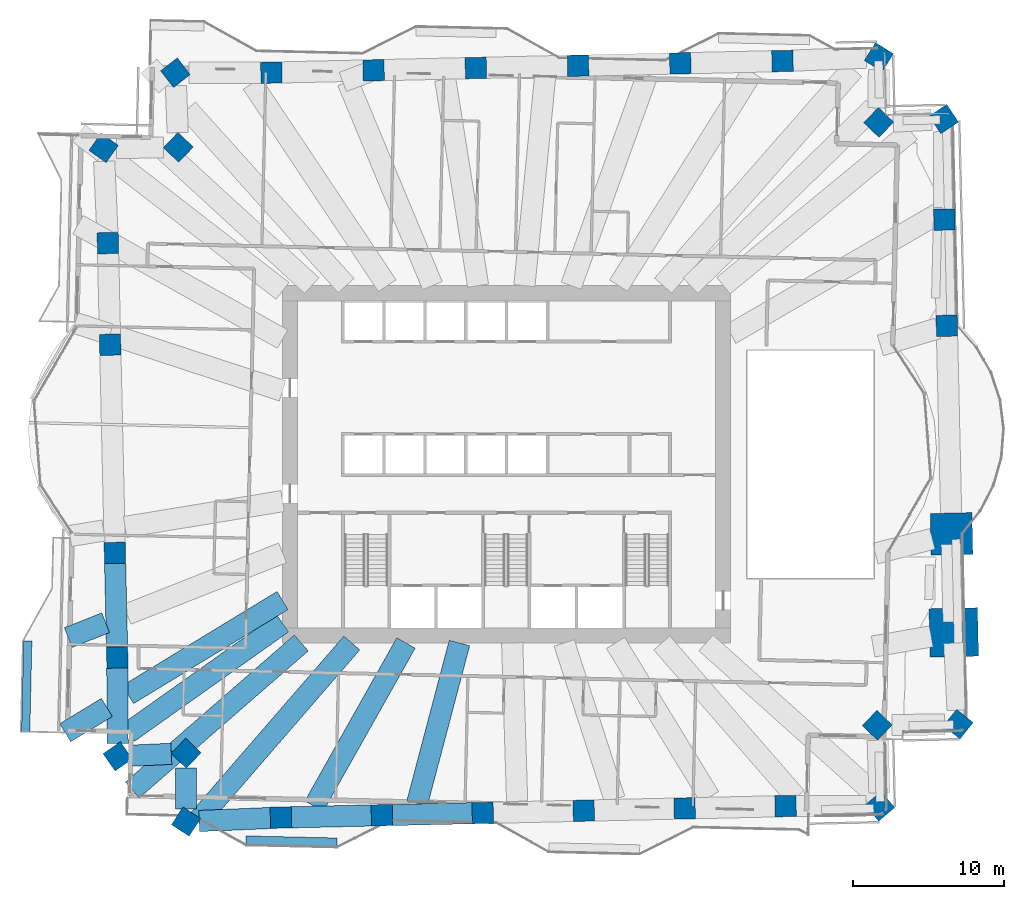
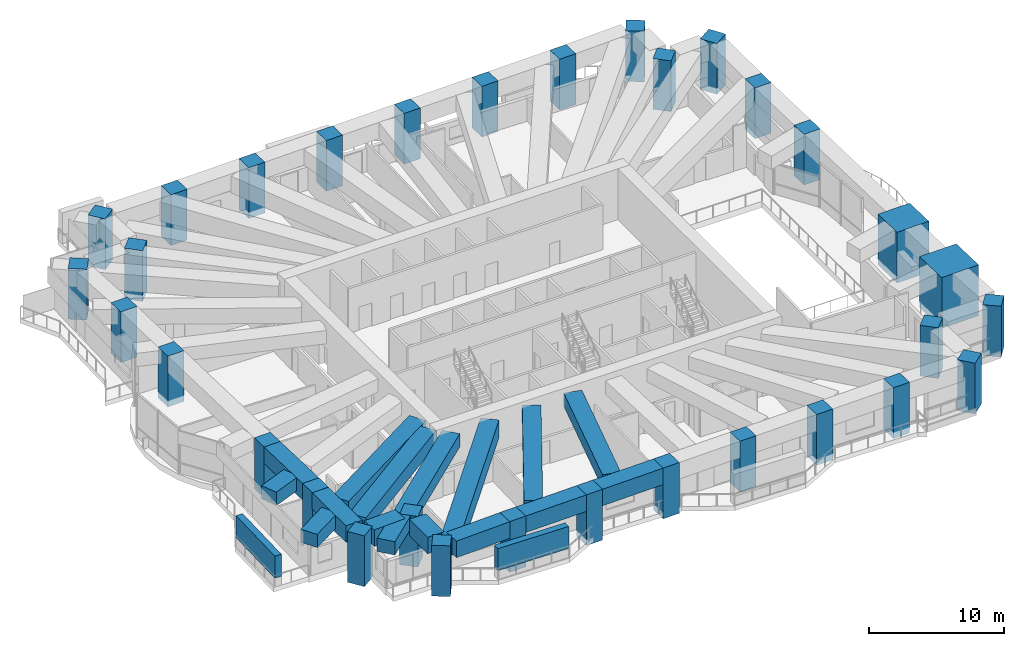
# One storey, part 1 of 20: 32 columns, 16 beams, 2 members.
"""IFC4 building model written with IfcOpenShell, lengths in metres."""

import ifcopenshell
import ifcopenshell.guid

model = None  # the IFC model being written
_history = None  # IfcOwnerHistory: only IFC2X3 demands one
_inside = {}  # id of a spatial element -> (the spatial element, [elements in it])
_under = {}  # id of a project, library or spatial element -> (it, [spatial elements below it])
_declared = {}  # id of a project -> (the project, [libraries it declares])
_typed = {}  # id of a type object -> (the type object, [elements of that type])
_made_of = {}  # id of a material, layer set ... -> (it, [elements and type objects made of it])


def new_model(schema):
    """Start an empty IFC model of exactly this schema.

    Asked for "IFC4X3", IfcOpenShell would pick the latest addendum, in which some entities
    have other attributes; the version numbers below select the first issue.
    IFC2X3 requires an IfcOwnerHistory on every rooted entity: one is made here for all.
    """
    global model, _history
    if schema == "IFC4X3":
        model = ifcopenshell.file(schema_version=(4, 3, 0, 0))
    else:
        model = ifcopenshell.file(schema=schema)
    _inside.clear()
    _under.clear()
    _declared.clear()
    _typed.clear()
    _made_of.clear()
    _history = None
    if model.schema == "IFC2X3":
        org = make("IfcOrganization", Name="unknown")
        user = make(
            "IfcPersonAndOrganization",
            ThePerson=make("IfcPerson", FamilyName="unknown"),
            TheOrganization=org,
        )
        app = make(
            "IfcApplication",
            ApplicationDeveloper=org,
            Version="unknown",
            ApplicationFullName="unknown",
            ApplicationIdentifier="unknown",
        )
        _history = make(
            "IfcOwnerHistory",
            OwningUser=user,
            OwningApplication=app,
            ChangeAction="ADDED",
            CreationDate=0,
        )
    return model


def make(cls, **values):
    """One entity of the class cls with the attributes given. An attribute that is None is left unset."""
    return model.create_entity(
        cls, **{name: value for name, value in values.items() if value is not None}
    )


def rooted(cls, **values):
    """An entity with a GlobalId (a new one), such as an element, a storey or a relation."""
    return make(cls, GlobalId=ifcopenshell.guid.new(), OwnerHistory=_history, **values)


def si_unit(unit_type, name, prefix=None):
    """IfcSIUnit, for example si_unit("LENGTHUNIT", "METRE", prefix="MILLI")."""
    return make("IfcSIUnit", UnitType=unit_type, Prefix=prefix, Name=name)


def assignment(units):
    """IfcUnitAssignment: the units of a project."""
    return None if units is None else make("IfcUnitAssignment", Units=units)


def point(xyz):
    """IfcCartesianPoint."""
    return None if xyz is None else make("IfcCartesianPoint", Coordinates=xyz)


def direction(xyz):
    """IfcDirection."""
    return None if xyz is None else make("IfcDirection", DirectionRatios=xyz)


def frame(location, z_axis=None, x_axis=None):
    """IfcAxis2Placement3D, a coordinate frame: its origin and axes. An axis left out is left unset."""
    return make(
        "IfcAxis2Placement3D",
        Location=point(location),
        Axis=direction(z_axis),
        RefDirection=direction(x_axis),
    )


def frame_2d(location, x_axis=None):
    """IfcAxis2Placement2D, a coordinate frame in the plane: its origin and x axis."""
    return make(
        "IfcAxis2Placement2D", Location=point(location), RefDirection=direction(x_axis)
    )


def origin():
    """The frame at (0, 0, 0) with its axes left unset."""
    return frame((0.0, 0.0, 0.0))


def origin_2d():
    """The frame at (0, 0) in the plane with its x axis left unset."""
    return frame_2d((0.0, 0.0))


def place(relative_to, where):
    """IfcLocalPlacement: puts the frame where relative to a parent placement (None: the world)."""
    return make(
        "IfcLocalPlacement", PlacementRelTo=relative_to, RelativePlacement=where
    )


def context(
    kind, dimensions, precision=None, world=None, true_north=None, identifier=None
):
    """IfcGeometricRepresentationContext, for example the 3D "Model" context."""
    return make(
        "IfcGeometricRepresentationContext",
        ContextIdentifier=identifier,
        ContextType=kind,
        CoordinateSpaceDimension=dimensions,
        Precision=precision,
        WorldCoordinateSystem=world,
        TrueNorth=true_north,
    )


def subcontext(parent, identifier, kind, view, scale=None):
    """IfcGeometricRepresentationSubContext, for example "Body" below "Model"."""
    return make(
        "IfcGeometricRepresentationSubContext",
        ContextIdentifier=identifier,
        ContextType=kind,
        ParentContext=parent,
        TargetScale=scale,
        TargetView=view,
    )


def project(units=None, contexts=None):
    """IfcProject with its units and contexts."""
    return rooted(
        "IfcProject",
        Name="project",
        RepresentationContexts=contexts,
        UnitsInContext=assignment(units),
    )


def spatial(cls, under=None, at=None, **own):
    """A site, building, storey or space (cls), placed at a placement, below another one or the project."""
    s = rooted(cls, ObjectPlacement=at, **own)
    if under is not None:
        _under.setdefault(under.id(), (under, []))[1].append(s)
    return s


def profile(cls, at=None, kind="AREA", **sizes):
    """A parametric profile (cls). Its sizes go by their IFC names, for example OverallWidth=200.0."""
    return make(cls, ProfileType=kind, Position=at, **sizes)


def rectangle(**sizes):
    """IfcRectangleProfileDef."""
    return profile("IfcRectangleProfileDef", **sizes)


def extrude(swept, where, along, depth):
    """IfcExtrudedAreaSolid: the profile swept, set in the frame where, extruded along a direction by depth."""
    return make(
        "IfcExtrudedAreaSolid",
        SweptArea=swept,
        Position=where,
        ExtrudedDirection=direction(along),
        Depth=depth,
    )


def shape(context_of_items, identifier, shape_type, items):
    """IfcShapeRepresentation: the items that make up one representation, for example the "Body"."""
    return make(
        "IfcShapeRepresentation",
        ContextOfItems=context_of_items,
        RepresentationIdentifier=identifier,
        RepresentationType=shape_type,
        Items=items,
    )


def material(Name=None, Category=None):
    """IfcMaterial."""
    return make("IfcMaterial", Name=Name, Category=Category)


def material_profile(
    of_material, cross_section, Name=None, Category=None, Priority=None
):
    """IfcMaterialProfile: a cross section and its material."""
    return make(
        "IfcMaterialProfile",
        Name=Name,
        Material=of_material,
        Profile=cross_section,
        Priority=Priority,
        Category=Category,
    )


def profile_set(profiles, Name=None, composite=None):
    """IfcMaterialProfileSet."""
    return make(
        "IfcMaterialProfileSet",
        Name=Name,
        MaterialProfiles=profiles,
        CompositeProfile=composite,
    )


def made_of(thing, what):
    """Note that an element or type object is made of a material, layer set ...; save() writes the relation."""
    if what is not None:
        _made_of.setdefault(what.id(), (what, []))[1].append(thing)
    return thing


def type_object(cls, material=None, **own):
    """A type object (cls), such as IfcWallType, which elements share."""
    return made_of(rooted(cls, **own), material)


def element(
    cls,
    number,
    at=None,
    inside=None,
    cuts=None,
    type_object=None,
    material=None,
    context=None,
    identifier="Body",
    shape_type=None,
    held_by="IfcProductDefinitionShape",
    body=None,
    shapes=None,
    **own,
):
    """One element of the class cls, such as IfcWall. Its Tag is "e" and its number.

    at: its placement. inside: the storey or other place that contains it. cuts: it is an
    opening in that element (IfcRelVoidsElement). A single representation is given by context,
    identifier, shape_type and body (its items); several are given by shapes. held_by: the class
    of the entity that holds the representations. save() writes the other relations.
    """
    e = rooted(cls, Tag="e%d" % number, ObjectPlacement=at, **own)
    if body is not None:
        shapes = [shape(context, identifier, shape_type, body)]
    if shapes is not None:
        e.Representation = make(held_by, Representations=shapes)
    if inside is not None:
        _inside.setdefault(inside.id(), (inside, []))[1].append(e)
    if cuts is not None:
        rooted(
            "IfcRelVoidsElement", RelatingBuildingElement=cuts, RelatedOpeningElement=e
        )
    if type_object is not None:
        _typed.setdefault(type_object.id(), (type_object, []))[1].append(e)
    return made_of(e, material)


def aggregate(whole, parts):
    """IfcRelAggregates: a whole, such as a stair, and the parts it consists of."""
    return rooted("IfcRelAggregates", RelatingObject=whole, RelatedObjects=parts)


def save(model, path):
    """Write the relations noted so far, then the file.

    IfcRelAggregates (storeys below a building ...), IfcRelContainedInSpatialStructure (elements
    in a storey), IfcRelDefinesByType, IfcRelAssociatesMaterial and IfcRelDeclares: one each for
    every whole, place, type object, material and project.
    """
    for whole, parts in _under.values():
        aggregate(whole, parts)
    for where, things in _inside.values():
        rooted(
            "IfcRelContainedInSpatialStructure",
            RelatedElements=things,
            RelatingStructure=where,
        )
    for kind, things in _typed.values():
        rooted("IfcRelDefinesByType", RelatedObjects=things, RelatingType=kind)
    for what, things in _made_of.values():
        rooted("IfcRelAssociatesMaterial", RelatedObjects=things, RelatingMaterial=what)
    for by, libraries in _declared.values():
        rooted("IfcRelDeclares", RelatingContext=by, RelatedDefinitions=libraries)
    model.write(path)


model = new_model("IFC4")

# Units and contexts
model_context = context("Model", 3, precision=1e-05, world=origin(), true_north=direction((0.0, 1.0)))
body_context = subcontext(model_context, "Body", "Model", "MODEL_VIEW")
ifc_project = project(units=[si_unit("LENGTHUNIT", "METRE"), si_unit("AREAUNIT", "SQUARE_METRE"), si_unit("VOLUMEUNIT", "CUBIC_METRE"), si_unit("PLANEANGLEUNIT", "RADIAN"), si_unit("MASSUNIT", "GRAM", prefix="KILO")], contexts=[model_context])

# Site, building, storey
site_placement = place(None, origin())
site = spatial("IfcSite", under=ifc_project, at=site_placement, CompositionType="ELEMENT")
building_placement = place(site_placement, origin())
building = spatial("IfcBuilding", under=site, at=building_placement, Name="Mangrove Gate Tower", CompositionType="ELEMENT")
storey_placement = place(building_placement, frame((0.0, 0.0, 97.300048828125)))
storey = spatial("IfcBuildingStorey", under=building, at=storey_placement, Name="L24", CompositionType="ELEMENT", Elevation=97.300048828125)

# Columns
ifc_material_1 = material(Name="Concrete C70/85", Category="concrete")
ifc_material_profile_1 = material_profile(ifc_material_1, rectangle(XDim=1.39990234375, YDim=1.39990234375, at=origin_2d()))
ifc_profile_set_1 = profile_set([ifc_material_profile_1], Name="Concrete C70/85")
column_type_1 = type_object("IfcColumnType", Name="Column RC 1400x1400 C70/85", PredefinedType="COLUMN", material=ifc_profile_set_1)
for number, where, z_axis, x_axis, name in (
    (1, (-25.873291015625, -5.85009765625, -0.550048828125), (0.0, 0.0, 1.0), (0.022697227041, -0.99974238476, 0.0), "Column L24 W05"),
    (2, (-25.716064453125, -12.760986328125, -0.550048828125), (0.0, 0.0, 1.0), (0.022711552501, -0.999742059425, 0.0), "Column L24 W06"),
    (3, (-25.685302734375, -19.287109375, -0.550048828125), (0.0, 0.0, 1.0), (0.572799342172, -0.819695622538, 0.0), "Column L24 W07"),
    (4, (-21.176513671875, -19.076904296875, -0.550048828125), (0.0, 0.0, 1.0), (0.722988982899, -0.690859559249, 0.0), "Column L24 W08"),
    (5, (-21.171630859375, -23.596923828125, -0.550048828125), (0.0, 0.0, 1.0), (0.835754041756, -0.549103980762, 0.0), "Column L24 S01"),
    (6, (-14.906005859375, -23.331298828125, -0.550048828125), (0.0, 0.0, 1.0), (0.999741835415, 0.022721411066, 0.0), "Column L24 S02"),
    (7, (-8.239990234375, -23.17919921875, -0.550048828125), (0.0, 0.0, 1.0), (0.999741796947, 0.022723103599, 0.0), "Column L24 S03"),
    (8, (-1.574951171875, -23.028076171875, -0.550048828125), (0.0, 0.0, 1.0), (0.999743497505, 0.022648160999, 0.0), "Column L24 S04"),
    (9, (5.091064453125, -22.877197265625, -0.550048828125), (0.0, 0.0, 1.0), (0.999743536241, 0.022646451015, 0.0), "Column L24 S05"),
    (10, (11.757080078125, -22.72607421875, -0.550048828125), (0.0, 0.0, 1.0), (0.999741796947, 0.022723103599, 0.0), "Column L24 S06"),
    (11, (18.422119140625, -22.57421875, -0.550048828125), (0.0, 0.0, 1.0), (0.999741796947, 0.022723103599, 0.0), "Column L24 S07"),
    (12, (24.6513671875, -22.589111328125, -0.550048828125), (0.0, 0.0, 1.0), (0.762709463852, 0.646741272651, 0.0), "Column L24 S08"),
    (13, (24.475830078125, -17.241455078125, -0.550048828125), (0.0, 0.0, 1.0), (0.690883635037, 0.722965976266, 0.0), "Column L24 E01"),
    (14, (29.8310546875, -17.167724609375, -0.550048828125), (0.0, 0.0, 1.0), (0.620563665396, 0.784156066858, 0.0), "Column L24 E02"),
    (15, (29.0732421875, 9.150146484375, -0.550048828125), (0.0, 0.0, 1.0), (-0.022684210237, 0.999742680196, 0.0), "Column L24 E05"),
    (16, (28.9140625, 16.1611328125, -0.550048828125), (0.0, 0.0, 1.0), (-0.022674438908, 0.99974290186, 0.0), "Column L24 E06"),
    (17, (28.87060546875, 22.801513671875, -0.550048828125), (0.0, 0.0, 1.0), (-0.550567885303, 0.834790395053, 0.0), "Column L24 E07"),
    (18, (24.572265625, 22.58203125, -0.550048828125), (0.0, 0.0, 1.0), (-0.722913991344, 0.690938029869, 0.0), "Column L24 E08"),
    (19, (24.58740234375, 26.891845703125, -0.550048828125), (0.0, 0.0, 1.0), (-0.85008265929, 0.526649287832, 0.0), "Column L24 N01"),
    (20, (18.219970703125, 26.63330078125, -0.550048828125), (0.0, 0.0, 1.0), (-0.999741644236, -0.022729821381, 0.0), "Column L24 N02"),
    (21, (11.46875, 26.480224609375, -0.550048828125), (0.0, 0.0, 1.0), (-0.999743285984, -0.022657496114, 0.0), "Column L24 N03"),
    (22, (4.7177734375, 26.3271484375, -0.550048828125), (0.0, 0.0, 1.0), (-0.999743323945, -0.022655821028, 0.0), "Column L24 N04"),
    (23, (-2.0341796875, 26.174072265625, -0.550048828125), (0.0, 0.0, 1.0), (-0.999741644236, -0.022729821381, 0.0), "Column L24 N05"),
    (24, (-8.78515625, 26.020263671875, -0.550048828125), (0.0, 0.0, 1.0), (-0.999741644236, -0.022729821381, 0.0), "Column L24 N06"),
    (25, (-15.537109375, 25.8671875, -0.550048828125), (0.0, 0.0, 1.0), (-0.999743323945, -0.022655821028, 0.0), "Column L24 N07"),
    (26, (-21.874755859375, 25.861083984375, -0.550048828125), (0.0, 0.0, 1.0), (-0.789979802002, -0.613132866864, 0.0), "Column L24 N08"),
    (27, (-21.684814453125, 20.931396484375, -0.550048828125), (0.0, 0.0, 1.0), (-0.690872556232, -0.722976563275, 0.0), "Column L24 W01"),
    (28, (-26.6181640625, 20.896728515625, -0.550048828125), (0.0, 0.0, 1.0), (-0.5789981691, -0.815328841744, 0.0), "Column L24 W02"),
    (29, (-26.337158203125, 14.60693359375, -0.550048828125), (0.0, 0.0, 1.0), (0.022645264495, -0.999743563118, 0.0), "Column L24 W03"),
    (30, (-26.18505859375, 7.89697265625, -0.550048828125), (0.0, 0.0, 1.0), (0.022675887158, -0.999742869013, 0.0), "Column L24 W04"),
):
    element("IfcColumn", number, at=place(storey_placement, frame(where, z_axis=z_axis, x_axis=x_axis)), inside=storey, type_object=column_type_1, Name=name, PredefinedType="COLUMN", context=body_context, shape_type="SweptSolid", body=[
        extrude(rectangle(XDim=1.39990234375, YDim=1.39990234375, at=origin_2d()), origin(), (0.0, 0.0, 1.0), 4.60009765625),
    ])
ifc_material_2 = material(Name="Concrete C70/85", Category="concrete")
ifc_material_profile_2 = material_profile(ifc_material_2, rectangle(XDim=2.75, YDim=2.75, at=origin_2d()))
ifc_profile_set_2 = profile_set([ifc_material_profile_2], Name="Concrete C70/85")
column_type_2 = type_object("IfcColumnType", Name="Column RC 2750x2750 C70/85", PredefinedType="COLUMN", material=ifc_profile_set_2)
column_1_placement = place(storey_placement, frame((29.38525390625, -4.596923828125, -0.550048828125), z_axis=(0.0, 0.0, 1.0), x_axis=(-0.022653011769, 0.999743387604, 0.0)))
element("IfcColumn", 31, at=column_1_placement, inside=storey, type_object=column_type_2, Name="Column L24 E04", PredefinedType="COLUMN", context=body_context, shape_type="SweptSolid", body=[
    extrude(rectangle(XDim=2.75, YDim=2.75, at=origin_2d()), origin(), (0.0, 0.0, 1.0), 4.60009765625),
])
ifc_material_3 = material(Name="Concrete C70/85", Category="concrete")
ifc_material_profile_3 = material_profile(ifc_material_3, rectangle(XDim=3.199951171875, YDim=3.199951171875, at=origin_2d()))
ifc_profile_set_3 = profile_set([ifc_material_profile_3], Name="Concrete C70/85")
column_type_3 = type_object("IfcColumnType", Name="Column RC 3200x3200 C70/85", PredefinedType="COLUMN", material=ifc_profile_set_3)
column_2_placement = place(storey_placement, frame((29.5322265625, -11.10693359375, -0.550048828125), z_axis=(0.0, 0.0, 1.0), x_axis=(-0.02264990588, 0.999743457975, 0.0)))
element("IfcColumn", 32, at=column_2_placement, inside=storey, type_object=column_type_3, Name="Column L24 E03", PredefinedType="COLUMN", context=body_context, shape_type="SweptSolid", body=[
    extrude(rectangle(XDim=3.199951171875, YDim=3.199951171875, at=origin_2d()), origin(), (0.0, 0.0, 1.0), 4.60009765625),
])

# Members
ifc_material_4 = material(Name="Planting on aluminium trellis", Category="aluminium")
ifc_material_profile_4 = material_profile(ifc_material_4, rectangle(XDim=0.550048828125, YDim=2.0, at=origin_2d()))
ifc_profile_set_4 = profile_set([ifc_material_profile_4], Name="Planting on aluminium trellis")
member_type = type_object("IfcMemberType", Name="Balcony greenery screen 550x2000", PredefinedType="USERDEFINED", material=ifc_profile_set_4)
member_1_placement = place(storey_placement, frame((-31.764892578125, -17.669921875, 1.800048828125), z_axis=(0.022666865795, 0.999743073592, 0.0), x_axis=(-0.999743073592, 0.022666865795, 0.0)))
element("IfcMember", 33, at=member_1_placement, inside=storey, type_object=member_type, Name="GREEN SCREEN L24 W1.1", ObjectType="PLANTING", PredefinedType="USERDEFINED", context=body_context, shape_type="SweptSolid", body=[
    extrude(rectangle(XDim=0.550048828125, YDim=2.0, at=origin_2d()), origin(), (0.0, 0.0, 1.0), 5.999267578125),
])
member_2_placement = place(storey_placement, frame((-17.205078125, -24.818115234375, 1.800048828125), z_axis=(0.999743178102, -0.022662255828, 0.0), x_axis=(0.022662255828, 0.999743178102, 0.0)))
element("IfcMember", 34, at=member_2_placement, inside=storey, type_object=member_type, Name="GREEN SCREEN L24 S0.1", ObjectType="PLANTING", PredefinedType="USERDEFINED", context=body_context, shape_type="SweptSolid", body=[
    extrude(rectangle(XDim=0.550048828125, YDim=2.0, at=origin_2d()), origin(), (0.0, 0.0, 1.0), 6.00048828125),
])

# Beams
ifc_material_5 = material(Name="Concrete C70/85", Category="concrete")
ifc_material_profile_5 = material_profile(ifc_material_5, rectangle(XDim=1.39990234375, YDim=1.199951171875, at=origin_2d()))
ifc_profile_set_5 = profile_set([ifc_material_profile_5], Name="Concrete C70/85")
beam_type_1 = type_object("IfcBeamType", Name="Transfer girder RC 1400x1200 C70/85", PredefinedType="BEAM", material=ifc_profile_set_5)
beam_1_placement = place(storey_placement, frame((-26.4814453125, -10.46533203125, 3.449951171875), z_axis=(-0.93000819007, -0.367538795779, 0.0), x_axis=(0.367538795779, -0.93000819007, 0.0)))
element("IfcBeam", 35, at=beam_1_placement, inside=storey, type_object=beam_type_1, Name="Transfer cantilever girder L24 01", PredefinedType="BEAM", context=body_context, shape_type="SweptSolid", body=[
    extrude(rectangle(XDim=1.39990234375, YDim=1.199951171875, at=origin_2d()), origin(), (0.0, 0.0, 1.0), 2.65771484375),
])
beam_2_placement = place(storey_placement, frame((-14.800048828125, -9.00146484375, 3.449951171875), z_axis=(-0.854385251853, -0.51964010759, 0.0), x_axis=(0.51964010759, -0.854385251853, 0.0)))
element("IfcBeam", 36, at=beam_2_placement, inside=storey, type_object=beam_type_1, Name="Transfer girder L24 02", PredefinedType="BEAM", context=body_context, shape_type="SweptSolid", body=[
    extrude(rectangle(XDim=1.39990234375, YDim=1.199951171875, at=origin_2d()), origin(), (0.0, 0.0, 1.0), 11.940673828125),
])
beam_3_placement = place(storey_placement, frame((-26.403076171875, -16.05859375, 3.449951171875), z_axis=(-0.854383185691, -0.51964350473, 0.0), x_axis=(0.51964350473, -0.854383185691, 0.0)))
element("IfcBeam", 37, at=beam_3_placement, inside=storey, type_object=beam_type_1, Name="Transfer cantilever girder L24 02", PredefinedType="BEAM", context=body_context, shape_type="SweptSolid", body=[
    extrude(rectangle(XDim=1.39990234375, YDim=1.199951171875, at=origin_2d()), origin(), (0.0, 0.0, 1.0), 3.21630859375),
])
beam_4_placement = place(storey_placement, frame((-13.56298828125, -11.800048828125, 3.449951171875), z_axis=(-0.754439932125, -0.656369094957, 0.0), x_axis=(0.656369094957, -0.754439932125, 0.0)))
element("IfcBeam", 38, at=beam_4_placement, inside=storey, type_object=beam_type_1, Name="Transfer girder L24 04", PredefinedType="BEAM", context=body_context, shape_type="SweptSolid", body=[
    extrude(rectangle(XDim=1.39990234375, YDim=1.199951171875, at=origin_2d()), origin(), (0.0, 0.0, 1.0), 11.142578125),
])
beam_5_placement = place(storey_placement, frame((-21.969482421875, -19.11376953125, 3.449951171875), z_axis=(-0.754411317674, -0.656401983364, 0.0), x_axis=(0.656401983364, -0.754411317674, 0.0)))
element("IfcBeam", 39, at=beam_5_placement, inside=storey, type_object=beam_type_1, Name="Transfer cantilever girder L24 04", PredefinedType="BEAM", context=body_context, shape_type="SweptSolid", body=[
    extrude(rectangle(XDim=1.39990234375, YDim=1.199951171875, at=origin_2d()), origin(), (0.0, 0.0, 1.0), 3.654296875),
])
beam_6_placement = place(storey_placement, frame((-3.1162109375, -11.800048828125, 3.449951171875), z_axis=(-0.255338177381, -0.96685180621, 0.0), x_axis=(0.96685180621, -0.255338177381, 0.0)))
element("IfcBeam", 40, at=beam_6_placement, inside=storey, type_object=beam_type_1, Name="Transfer girder L24 07", PredefinedType="BEAM", context=body_context, shape_type="SweptSolid", body=[
    extrude(rectangle(XDim=1.39990234375, YDim=1.199951171875, at=origin_2d()), origin(), (0.0, 0.0, 1.0), 10.9794921875),
])
ifc_material_6 = material(Name="Concrete C70/85", Category="concrete")
ifc_material_profile_6 = material_profile(ifc_material_6, rectangle(XDim=1.39990234375, YDim=1.300048828125, at=origin_2d()))
ifc_profile_set_6 = profile_set([ifc_material_profile_6], Name="Concrete C70/85")
beam_type_2 = type_object("IfcBeamType", Name="Transfer girder RC 1400x1300 C70/85", PredefinedType="BEAM", material=ifc_profile_set_6)
beam_7_placement = place(storey_placement, frame((-14.800048828125, -10.498779296875, 3.39990234375), z_axis=(-0.815617521413, -0.578591443736, 0.0), x_axis=(0.578591443736, -0.815617521413, 0.0)))
element("IfcBeam", 41, at=beam_7_placement, inside=storey, type_object=beam_type_2, Name="Transfer girder L24 03", PredefinedType="BEAM", context=body_context, shape_type="SweptSolid", body=[
    extrude(rectangle(XDim=1.39990234375, YDim=1.300048828125, at=origin_2d()), origin(), (0.0, 0.0, 1.0), 12.491943359375),
])
beam_8_placement = place(storey_placement, frame((-6.646240234375, -11.800048828125, 3.39990234375), z_axis=(-0.490746648848, -0.871302316446, 0.0), x_axis=(0.871302316446, -0.490746648848, 0.0)))
element("IfcBeam", 42, at=beam_8_placement, inside=storey, type_object=beam_type_2, Name="Transfer girder L24 06", PredefinedType="BEAM", context=body_context, shape_type="SweptSolid", body=[
    extrude(rectangle(XDim=1.39990234375, YDim=1.300048828125, at=origin_2d()), origin(), (0.0, 0.0, 1.0), 12.36767578125),
])
ifc_material_7 = material(Name="Concrete C70/85", Category="concrete")
ifc_material_profile_7 = material_profile(ifc_material_7, rectangle(XDim=1.39990234375, YDim=1.5, at=origin_2d()))
ifc_profile_set_7 = profile_set([ifc_material_profile_7], Name="Concrete C70/85")
beam_type_3 = type_object("IfcBeamType", Name="Transfer girder RC 1400x1500 C70/85", PredefinedType="BEAM", material=ifc_profile_set_7)
beam_9_placement = place(storey_placement, frame((-25.857177734375, -6.550048828125, 3.300048828125), z_axis=(0.022675128809, -0.999742886213, 0.0), x_axis=(0.999742886213, 0.022675128809, 0.0)))
element("IfcBeam", 43, at=beam_9_placement, inside=storey, type_object=beam_type_3, Name="Transfer ring girder L24 00", PredefinedType="BEAM", context=body_context, shape_type="SweptSolid", body=[
    extrude(rectangle(XDim=1.39990234375, YDim=1.5, at=origin_2d()), origin(), (0.0, 0.0, 1.0), 5.5126953125),
])
beam_10_placement = place(storey_placement, frame((-25.712890625, -13.461181640625, 3.300048828125), z_axis=(0.004760448611, -0.999988669, 0.0), x_axis=(0.999988669, 0.004760448611, 0.0)))
element("IfcBeam", 44, at=beam_10_placement, inside=storey, type_object=beam_type_3, Name="Transfer ring girder L24 01", PredefinedType="BEAM", context=body_context, shape_type="SweptSolid", body=[
    extrude(rectangle(XDim=1.39990234375, YDim=1.5, at=origin_2d()), origin(), (0.0, 0.0, 1.0), 4.974609375),
])
beam_11_placement = place(storey_placement, frame((-24.858154296875, -19.24853515625, 3.300048828125), z_axis=(0.998913193055, 0.046609363229, 0.0), x_axis=(-0.046609363229, 0.998913193055, 0.0)))
element("IfcBeam", 45, at=beam_11_placement, inside=storey, type_object=beam_type_3, Name="Transfer ring girder L24 02", PredefinedType="BEAM", context=body_context, shape_type="SweptSolid", body=[
    extrude(rectangle(XDim=1.39990234375, YDim=1.5, at=origin_2d()), origin(), (0.0, 0.0, 1.0), 2.718505859375),
])
beam_12_placement = place(storey_placement, frame((-21.17529296875, -20.046142578125, 3.300048828125), z_axis=(0.000990009415, -0.999999509941, 0.0), x_axis=(0.999999509941, 0.000990009415, 0.0)))
element("IfcBeam", 46, at=beam_12_placement, inside=storey, type_object=beam_type_3, Name="Transfer ring girder L24 03", PredefinedType="BEAM", context=body_context, shape_type="SweptSolid", body=[
    extrude(rectangle(XDim=1.39990234375, YDim=1.5, at=origin_2d()), origin(), (0.0, 0.0, 1.0), 2.712646484375),
])
beam_13_placement = place(storey_placement, frame((-20.31005859375, -23.560302734375, 3.300048828125), z_axis=(0.999102435493, 0.042359454582, 0.0), x_axis=(-0.042359454582, 0.999102435493, 0.0)))
element("IfcBeam", 47, at=beam_13_placement, inside=storey, type_object=beam_type_3, Name="Transfer ring girder L24 04", PredefinedType="BEAM", context=body_context, shape_type="SweptSolid", body=[
    extrude(rectangle(XDim=1.39990234375, YDim=1.5, at=origin_2d()), origin(), (0.0, 0.0, 1.0), 4.708740234375),
])
beam_14_placement = place(storey_placement, frame((-14.2060546875, -23.315185546875, 3.300048828125), z_axis=(0.999739989884, 0.022802469752, 0.0), x_axis=(-0.022802469752, 0.999739989884, 0.0)))
element("IfcBeam", 48, at=beam_14_placement, inside=storey, type_object=beam_type_3, Name="Transfer ring girder L24 05", PredefinedType="BEAM", context=body_context, shape_type="SweptSolid", body=[
    extrude(rectangle(XDim=1.39990234375, YDim=1.5, at=origin_2d()), origin(), (0.0, 0.0, 1.0), 5.267822265625),
])
beam_15_placement = place(storey_placement, frame((-7.5400390625, -23.163330078125, 3.300048828125), z_axis=(0.999743054607, 0.022667703144, 0.0), x_axis=(-0.022667703144, 0.999743054607, 0.0)))
element("IfcBeam", 49, at=beam_15_placement, inside=storey, type_object=beam_type_3, Name="Transfer ring girder L24 06", PredefinedType="BEAM", context=body_context, shape_type="SweptSolid", body=[
    extrude(rectangle(XDim=1.39990234375, YDim=1.5, at=origin_2d()), origin(), (0.0, 0.0, 1.0), 5.266845703125),
])
ifc_material_8 = material(Name="Concrete C70/85", Category="concrete")
ifc_material_profile_8 = material_profile(ifc_material_8, rectangle(XDim=1.39990234375, YDim=1.60009765625, at=origin_2d()))
ifc_profile_set_8 = profile_set([ifc_material_profile_8], Name="Concrete C70/85")
beam_type_4 = type_object("IfcBeamType", Name="Transfer girder RC 1400x1600 C70/85", PredefinedType="BEAM", material=ifc_profile_set_8)
beam_16_placement = place(storey_placement, frame((-10.224365234375, -11.800048828125, 3.25), z_axis=(-0.654842762946, -0.75576514594, 0.0), x_axis=(0.75576514594, -0.654842762946, 0.0)))
element("IfcBeam", 50, at=beam_16_placement, inside=storey, type_object=beam_type_4, Name="Transfer girder L24 05", PredefinedType="BEAM", context=body_context, shape_type="SweptSolid", body=[
    extrude(rectangle(XDim=1.39990234375, YDim=1.60009765625, at=origin_2d()), origin(), (0.0, 0.0, 1.0), 15.56689453125),
])

save(model, "model.ifc")
